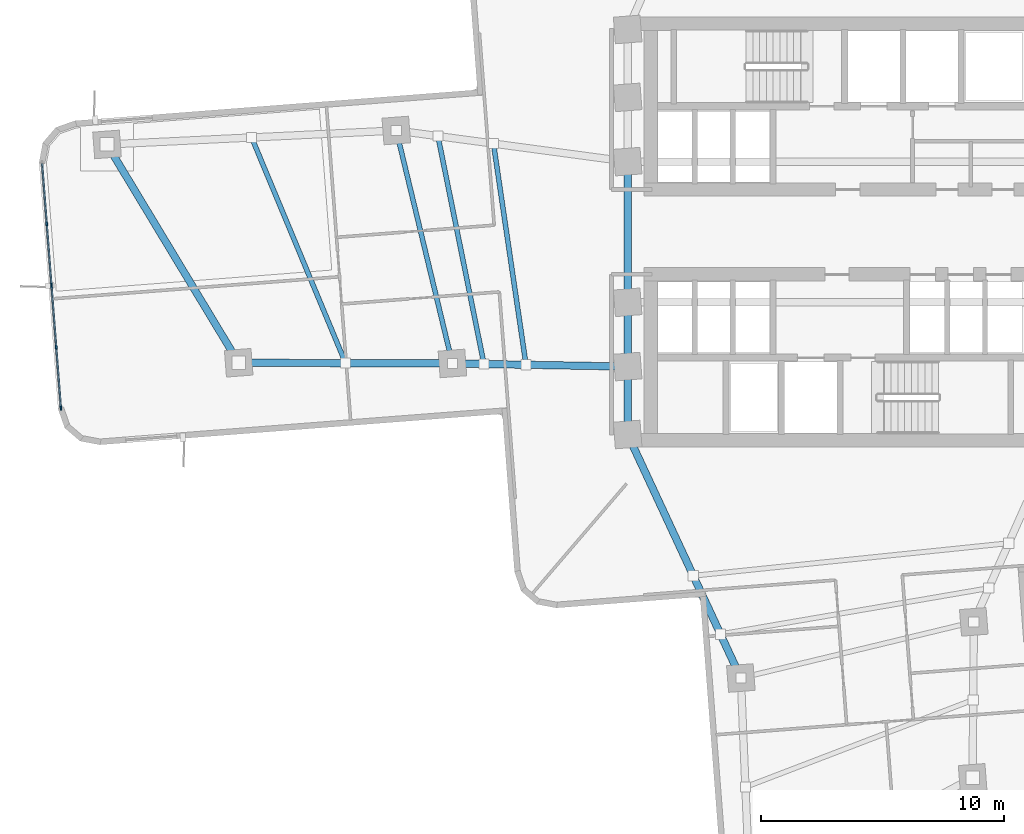
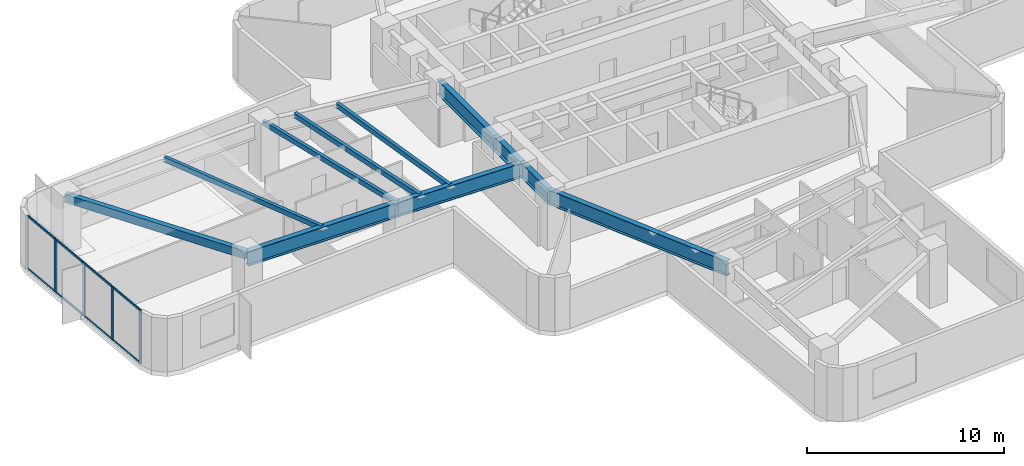
# One storey, part 2 of 15: 12 members, 11 beams, 1 element without a shape of its own.
"""IFC4 building model written with IfcOpenShell, lengths in metres."""

from ifc_helpers import new_model, si_unit, direction, frame, origin, origin_2d, place, context, subcontext, project, spatial, rectangle, hollow_rectangle, i_section, extrude, material, layer, layer_set, material_profile, profile_set, type_object, element, aggregate, save


model = new_model("IFC4")

# Units and contexts
model_context = context("Model", 3, precision=1e-05, world=origin(), true_north=direction((0.0, 1.0)))
body_context = subcontext(model_context, "Body", "Model", "MODEL_VIEW")
ifc_project = project(units=[si_unit("LENGTHUNIT", "METRE"), si_unit("AREAUNIT", "SQUARE_METRE"), si_unit("VOLUMEUNIT", "CUBIC_METRE"), si_unit("PLANEANGLEUNIT", "RADIAN"), si_unit("MASSUNIT", "GRAM", prefix="KILO")], contexts=[model_context])

# Site, building, storey
site_placement = place(None, origin())
site = spatial("IfcSite", under=ifc_project, at=site_placement, CompositionType="ELEMENT")
building_placement = place(site_placement, origin())
building = spatial("IfcBuilding", under=site, at=building_placement, Name="Solmarez Civic Tower", CompositionType="ELEMENT")
storey_placement = place(building_placement, frame((0.0, 0.0, 60.47998046875)))
storey = spatial("IfcBuildingStorey", under=building, at=storey_placement, Name="L15", CompositionType="ELEMENT", Elevation=60.47998046875)

# Beams
ifc_material_1 = material(Name="Steel S355", Category="steel")
ifc_material_profile_1 = material_profile(ifc_material_1, hollow_rectangle(XDim=0.199951171875, YDim=0.300048828125, WallThickness=0.011962890625, at=origin_2d()), Name="HSS300X200X12")
ifc_profile_set_1 = profile_set([ifc_material_profile_1], Name="Steel S355")
beam_type_1 = type_object("IfcBeamType", Name="BM-JS-HSS300X200", PredefinedType="JOIST", material=ifc_profile_set_1)
beam_1_placement = place(storey_placement, frame((-18.39111328125, 4.18408203125, 3.169921875), z_axis=(0.234328919867, -0.97215737271, 0.0), x_axis=(0.97215737271, 0.234328919867, 0.0)))
element("IfcBeam", 1, at=beam_1_placement, inside=storey, type_object=beam_type_1, Name="L15 Secondary Floor Joist BM-L15-WA-T1", PredefinedType="JOIST", context=body_context, shape_type="SweptSolid", body=[
    extrude(hollow_rectangle(XDim=0.199951171875, YDim=0.300048828125, WallThickness=0.011962890625, at=origin_2d()), origin(), (0.0, 0.0, 1.0), 9.880126953125),
])
beam_2_placement = place(storey_placement, frame((-24.35498046875, 3.89697265625, 3.169921875), z_axis=(0.384310898391, -0.923203733408, 0.0), x_axis=(0.923203733408, 0.384310898391, 0.0)))
element("IfcBeam", 2, at=beam_2_placement, inside=storey, type_object=beam_type_1, Name="L15 Secondary Floor Joist JS-L15-WA-M2", PredefinedType="JOIST", context=body_context, shape_type="SweptSolid", body=[
    extrude(hollow_rectangle(XDim=0.199951171875, YDim=0.300048828125, WallThickness=0.011962890625, at=origin_2d()), origin(), (0.0, 0.0, 1.0), 10.077880859375),
])
beam_3_placement = place(storey_placement, frame((-14.384033203125, 3.64501953125, 3.169921875), z_axis=(0.145687649447, -0.989330636743, 0.0), x_axis=(0.989330636743, 0.145687649447, 0.0)))
element("IfcBeam", 3, at=beam_3_placement, inside=storey, type_object=beam_type_1, Name="L15 Secondary Floor Joist JS-L15-WA-M11", PredefinedType="JOIST", context=body_context, shape_type="SweptSolid", body=[
    extrude(hollow_rectangle(XDim=0.199951171875, YDim=0.300048828125, WallThickness=0.011962890625, at=origin_2d()), origin(), (0.0, 0.0, 1.0), 9.218505859375),
])
beam_4_placement = place(storey_placement, frame((-16.674072265625, 3.952880859375, 3.169921875), z_axis=(0.198099134772, -0.980181989634, 0.0), x_axis=(0.980181989634, 0.198099134772, 0.0)))
element("IfcBeam", 4, at=beam_4_placement, inside=storey, type_object=beam_type_1, Name="L15 Secondary Floor Joist JS-L15-WA-M12", PredefinedType="JOIST", context=body_context, shape_type="SweptSolid", body=[
    extrude(hollow_rectangle(XDim=0.199951171875, YDim=0.300048828125, WallThickness=0.011962890625, at=origin_2d()), origin(), (0.0, 0.0, 1.0), 9.5869140625),
])
ifc_material_profile_2 = material_profile(ifc_material_1, i_section(OverallWidth=0.303955078125, OverallDepth=0.910888671875, WebThickness=0.015869140625, FlangeThickness=0.02392578125, at=origin_2d()), Name="W36X150")
ifc_profile_set_2 = profile_set([ifc_material_profile_2], Name="Steel S355")
beam_type_2 = type_object("IfcBeamType", Name="BM-PR-W36X150", PredefinedType="BEAM", material=ifc_profile_set_2)
beam_5_placement = place(storey_placement, frame((-8.85009765625, -5.550048828125, 2.864013671875), z_axis=(-0.999840308455, 0.017870578882, 0.0), x_axis=(-0.017870578882, -0.999840308455, 0.0)))
element("IfcBeam", 5, at=beam_5_placement, inside=storey, type_object=beam_type_2, Name="L15 Primary Floor Beam BM-L15-WA-R1B", PredefinedType="BEAM", context=body_context, shape_type="SweptSolid", body=[
    extrude(i_section(OverallWidth=0.303955078125, OverallDepth=0.910888671875, WebThickness=0.015869140625, FlangeThickness=0.02392578125, at=origin_2d()), origin(), (0.0, 0.0, 1.0), 7.22705078125),
])
beam_6_placement = place(storey_placement, frame((-16.075927734375, -5.4208984375, 2.864013671875), z_axis=(-0.99999501223, 0.003158403928, 0.0), x_axis=(-0.003158403928, -0.99999501223, 0.0)))
element("IfcBeam", 6, at=beam_6_placement, inside=storey, type_object=beam_type_2, Name="L15 Primary Floor Beam BM-L15-WA-R2B", PredefinedType="BEAM", context=body_context, shape_type="SweptSolid", body=[
    extrude(i_section(OverallWidth=0.303955078125, OverallDepth=0.910888671875, WebThickness=0.015869140625, FlangeThickness=0.02392578125, at=origin_2d()), origin(), (0.0, 0.0, 1.0), 8.81201171875),
])
beam_7_placement = place(storey_placement, frame((-8.85009765625, -8.35009765625, 2.864013671875), z_axis=(0.421417065364, -0.906866945599, 0.0), x_axis=(0.906866945599, 0.421417065364, 0.0)))
element("IfcBeam", 7, at=beam_7_placement, inside=storey, type_object=beam_type_2, Name="L15 Primary Floor Beam BM-L15-SA-R1A", PredefinedType="BEAM", context=body_context, shape_type="SweptSolid", body=[
    extrude(i_section(OverallWidth=0.303955078125, OverallDepth=0.910888671875, WebThickness=0.015869140625, FlangeThickness=0.02392578125, at=origin_2d()), origin(), (0.0, 0.0, 1.0), 11.072265625),
])
ifc_material_profile_3 = material_profile(ifc_material_1, i_section(OverallWidth=0.306884765625, OverallDepth=0.927001953125, WebThickness=0.019287109375, FlangeThickness=0.031982421875, at=origin_2d()), Name="W36X194")
ifc_profile_set_3 = profile_set([ifc_material_profile_3], Name="Steel S355")
beam_type_3 = type_object("IfcBeamType", Name="BM-PR-W36X194", PredefinedType="BEAM", material=ifc_profile_set_3)
beam_8_placement = place(storey_placement, frame((-8.85009765625, -8.35009765625, 2.85595703125), z_axis=(0.0, 1.0, 0.0), x_axis=(-1.0, 0.0, 0.0)))
element("IfcBeam", 8, at=beam_8_placement, inside=storey, type_object=beam_type_3, Name="L15 Primary Floor Beam BM-L15-HC12-HC1", PredefinedType="BEAM", context=body_context, shape_type="SweptSolid", body=[
    extrude(i_section(OverallWidth=0.306884765625, OverallDepth=0.927001953125, WebThickness=0.019287109375, FlangeThickness=0.031982421875, at=origin_2d()), origin(), (0.0, 0.0, 1.0), 2.800048828125),
])
beam_9_placement = place(storey_placement, frame((-8.85009765625, -5.550048828125, 2.85595703125), z_axis=(0.0, 1.0, 0.0), x_axis=(-1.0, 0.0, 0.0)))
element("IfcBeam", 9, at=beam_9_placement, inside=storey, type_object=beam_type_3, Name="L15 Primary Floor Beam BM-L15-HC1-HC2", PredefinedType="BEAM", context=body_context, shape_type="SweptSolid", body=[
    extrude(i_section(OverallWidth=0.306884765625, OverallDepth=0.927001953125, WebThickness=0.019287109375, FlangeThickness=0.031982421875, at=origin_2d()), origin(), (0.0, 0.0, 1.0), 2.650146484375),
])
beam_10_placement = place(storey_placement, frame((-8.85009765625, -2.89990234375, 2.85595703125), z_axis=(0.0, 1.0, 0.0), x_axis=(-1.0, 0.0, 0.0)))
element("IfcBeam", 10, at=beam_10_placement, inside=storey, type_object=beam_type_3, Name="L15 Primary Floor Beam BM-L15-HC2-HC3", PredefinedType="BEAM", context=body_context, shape_type="SweptSolid", body=[
    extrude(i_section(OverallWidth=0.306884765625, OverallDepth=0.927001953125, WebThickness=0.019287109375, FlangeThickness=0.031982421875, at=origin_2d()), origin(), (0.0, 0.0, 1.0), 5.7998046875),
])
ifc_material_profile_4 = material_profile(ifc_material_1, hollow_rectangle(XDim=0.300048828125, YDim=0.5, WallThickness=0.02001953125, at=origin_2d()), Name="HSS500X300X20")
ifc_profile_set_4 = profile_set([ifc_material_profile_4], Name="Steel S355")
beam_type_4 = type_object("IfcBeamType", Name="BM-SP-HSS500X300", PredefinedType="SPANDREL", material=ifc_profile_set_4)
beam_11_placement = place(storey_placement, frame((-30.318115234375, 3.60888671875, 3.070068359375), z_axis=(0.516522901024, -0.856273374991, 0.0), x_axis=(0.856273374991, 0.516522901024, 0.0)))
element("IfcBeam", 11, at=beam_11_placement, inside=storey, type_object=beam_type_4, Name="L15 Perimeter Spandrel Beam BM-L15-WA-T2", PredefinedType="SPANDREL", context=body_context, shape_type="SweptSolid", body=[
    extrude(hollow_rectangle(XDim=0.300048828125, YDim=0.5, WallThickness=0.02001953125, at=origin_2d()), origin(), (0.0, 0.0, 1.0), 10.512939453125),
])

# Curtain wall, members
ifc_material_2 = material(Name="Bronze Anodised Aluminium EN AW-6063 T6", Category="aluminium")
ifc_layer = layer(ifc_material_2, 0.18505859375)
ifc_layer_set = layer_set([ifc_layer], Name="Bronze Anodised Aluminium EN AW-6063 T6")
curtain_wall_type = type_object("IfcCurtainWallType", Name="CW-SYS-2", PredefinedType="NOTDEFINED", material=ifc_layer_set)
curtain_wall_placement = place(storey_placement, origin())
curtain_wall = element("IfcCurtainWall", 12, at=curtain_wall_placement, inside=storey, type_object=curtain_wall_type, Name="L15 Stick-Built Curtain Wall 1", PredefinedType="NOTDEFINED")
ifc_material_profile_5 = material_profile(ifc_material_2, rectangle(XDim=0.070068359375, YDim=0.179931640625, at=origin_2d()), Name="CWM-70X180")
ifc_profile_set_5 = profile_set([ifc_material_profile_5], Name="Bronze Anodised Aluminium EN AW-6063 T6")
member_type_1 = type_object("IfcMemberType", Name="CWM-TYPE-2", PredefinedType="MULLION", material=ifc_profile_set_5)
member_1_placement = place(storey_placement, frame((-32.2177734375, -7.26708984375, 0.0), z_axis=(0.0, 0.0, 1.0), x_axis=(-0.997052182339, -0.076726434127, 0.0)))
member_1 = element("IfcMember", 13, at=member_1_placement, type_object=member_type_1, Name="CWS2 mullion 1", PredefinedType="MULLION", context=body_context, shape_type="SweptSolid", body=[
    extrude(rectangle(XDim=0.070068359375, YDim=0.179931640625, at=origin_2d()), origin(), (0.0, 0.0, 1.0), 3.320068359375),
])
member_2_placement = place(storey_placement, frame((-32.410888671875, -4.7548828125, 0.0), z_axis=(0.0, 0.0, 1.0), x_axis=(-0.997052182339, -0.076726434127, 0.0)))
member_2 = element("IfcMember", 14, at=member_2_placement, type_object=member_type_1, Name="CWS2 mullion 2", PredefinedType="MULLION", context=body_context, shape_type="SweptSolid", body=[
    extrude(rectangle(XDim=0.070068359375, YDim=0.179931640625, at=origin_2d()), origin(), (0.0, 0.0, 1.0), 3.320068359375),
])
member_3_placement = place(storey_placement, frame((-32.60693359375, -2.2080078125, 0.0), z_axis=(0.0, 0.0, 1.0), x_axis=(-0.997052182339, -0.076726434127, 0.0)))
member_3 = element("IfcMember", 15, at=member_3_placement, type_object=member_type_1, Name="CWS2 mullion 3", PredefinedType="MULLION", context=body_context, shape_type="SweptSolid", body=[
    extrude(rectangle(XDim=0.070068359375, YDim=0.179931640625, at=origin_2d()), origin(), (0.0, 0.0, 1.0), 3.320068359375),
])
member_4_placement = place(storey_placement, frame((-32.802978515625, 0.339111328125, 0.0), z_axis=(0.0, 0.0, 1.0), x_axis=(-0.997052182339, -0.076726434127, 0.0)))
member_4 = element("IfcMember", 16, at=member_4_placement, type_object=member_type_1, Name="CWS2 mullion 4", PredefinedType="MULLION", context=body_context, shape_type="SweptSolid", body=[
    extrude(rectangle(XDim=0.070068359375, YDim=0.179931640625, at=origin_2d()), origin(), (0.0, 0.0, 1.0), 3.320068359375),
])
ifc_material_profile_6 = material_profile(ifc_material_2, rectangle(XDim=0.06494140625, YDim=0.125, at=origin_2d()), Name="CWT-65X125")
ifc_profile_set_6 = profile_set([ifc_material_profile_6], Name="Bronze Anodised Aluminium EN AW-6063 T6")
member_type_2 = type_object("IfcMemberType", Name="CWT-TYPE-2", PredefinedType="USERDEFINED", material=ifc_profile_set_6)
member_5_placement = place(storey_placement, frame((-32.220458984375, -7.232177734375, 0.032470703125), z_axis=(-0.076643148155, 0.997058587968, 0.0), x_axis=(-0.997058587968, -0.076643148155, 0.0)))
member_5 = element("IfcMember", 17, at=member_5_placement, type_object=member_type_2, Name="CWS2 transom 1.1", ObjectType="TRANSOM", PredefinedType="USERDEFINED", context=body_context, shape_type="SweptSolid", body=[
    extrude(rectangle(XDim=0.06494140625, YDim=0.125, at=origin_2d()), origin(), (0.0, 0.0, 1.0), 2.44970703125),
])
member_6_placement = place(storey_placement, frame((-32.220458984375, -7.232177734375, 3.28759765625), z_axis=(-0.076643148155, 0.997058587968, 0.0), x_axis=(-0.997058587968, -0.076643148155, 0.0)))
member_6 = element("IfcMember", 18, at=member_6_placement, type_object=member_type_2, Name="CWS2 transom 1.2", ObjectType="TRANSOM", PredefinedType="USERDEFINED", context=body_context, shape_type="SweptSolid", body=[
    extrude(rectangle(XDim=0.06494140625, YDim=0.125, at=origin_2d()), origin(), (0.0, 0.0, 1.0), 2.44970703125),
])
member_7_placement = place(storey_placement, frame((-32.41357421875, -4.72021484375, 0.032470703125), z_axis=(-0.076741583114, 0.997051016459, 0.0), x_axis=(-0.997051016459, -0.076741583114, 0.0)))
member_7 = element("IfcMember", 19, at=member_7_placement, type_object=member_type_2, Name="CWS2 transom 2.1", ObjectType="TRANSOM", PredefinedType="USERDEFINED", context=body_context, shape_type="SweptSolid", body=[
    extrude(rectangle(XDim=0.06494140625, YDim=0.125, at=origin_2d()), origin(), (0.0, 0.0, 1.0), 2.484619140625),
])
member_8_placement = place(storey_placement, frame((-32.41357421875, -4.72021484375, 3.28759765625), z_axis=(-0.076741583114, 0.997051016459, 0.0), x_axis=(-0.997051016459, -0.076741583114, 0.0)))
member_8 = element("IfcMember", 20, at=member_8_placement, type_object=member_type_2, Name="CWS2 transom 2.2", ObjectType="TRANSOM", PredefinedType="USERDEFINED", context=body_context, shape_type="SweptSolid", body=[
    extrude(rectangle(XDim=0.06494140625, YDim=0.125, at=origin_2d()), origin(), (0.0, 0.0, 1.0), 2.484619140625),
])
member_9_placement = place(storey_placement, frame((-32.609619140625, -2.173095703125, 0.032470703125), z_axis=(-0.076741583114, 0.997051016459, 0.0), x_axis=(-0.997051016459, -0.076741583114, 0.0)))
member_9 = element("IfcMember", 21, at=member_9_placement, type_object=member_type_2, Name="CWS2 transom 3.1", ObjectType="TRANSOM", PredefinedType="USERDEFINED", context=body_context, shape_type="SweptSolid", body=[
    extrude(rectangle(XDim=0.06494140625, YDim=0.125, at=origin_2d()), origin(), (0.0, 0.0, 1.0), 2.484619140625),
])
member_10_placement = place(storey_placement, frame((-32.609619140625, -2.173095703125, 3.28759765625), z_axis=(-0.076741583114, 0.997051016459, 0.0), x_axis=(-0.997051016459, -0.076741583114, 0.0)))
member_10 = element("IfcMember", 22, at=member_10_placement, type_object=member_type_2, Name="CWS2 transom 3.2", ObjectType="TRANSOM", PredefinedType="USERDEFINED", context=body_context, shape_type="SweptSolid", body=[
    extrude(rectangle(XDim=0.06494140625, YDim=0.125, at=origin_2d()), origin(), (0.0, 0.0, 1.0), 2.484619140625),
])
member_11_placement = place(storey_placement, frame((-32.8056640625, 0.373779296875, 0.032470703125), z_axis=(-0.076742227557, 0.997050966857, 0.0), x_axis=(-0.997050966857, -0.076742227557, 0.0)))
member_11 = element("IfcMember", 23, at=member_11_placement, type_object=member_type_2, Name="CWS2 transom 4.1", ObjectType="TRANSOM", PredefinedType="USERDEFINED", context=body_context, shape_type="SweptSolid", body=[
    extrude(rectangle(XDim=0.06494140625, YDim=0.125, at=origin_2d()), origin(), (0.0, 0.0, 1.0), 2.44970703125),
])
member_12_placement = place(storey_placement, frame((-32.8056640625, 0.373779296875, 3.28759765625), z_axis=(-0.076742227557, 0.997050966857, 0.0), x_axis=(-0.997050966857, -0.076742227557, 0.0)))
member_12 = element("IfcMember", 24, at=member_12_placement, type_object=member_type_2, Name="CWS2 transom 4.2", ObjectType="TRANSOM", PredefinedType="USERDEFINED", context=body_context, shape_type="SweptSolid", body=[
    extrude(rectangle(XDim=0.06494140625, YDim=0.125, at=origin_2d()), origin(), (0.0, 0.0, 1.0), 2.44970703125),
])
aggregate(curtain_wall, [member_1, member_2, member_3, member_4, member_5, member_6, member_7, member_8, member_9, member_10, member_11, member_12])

save(model, "model.ifc")
